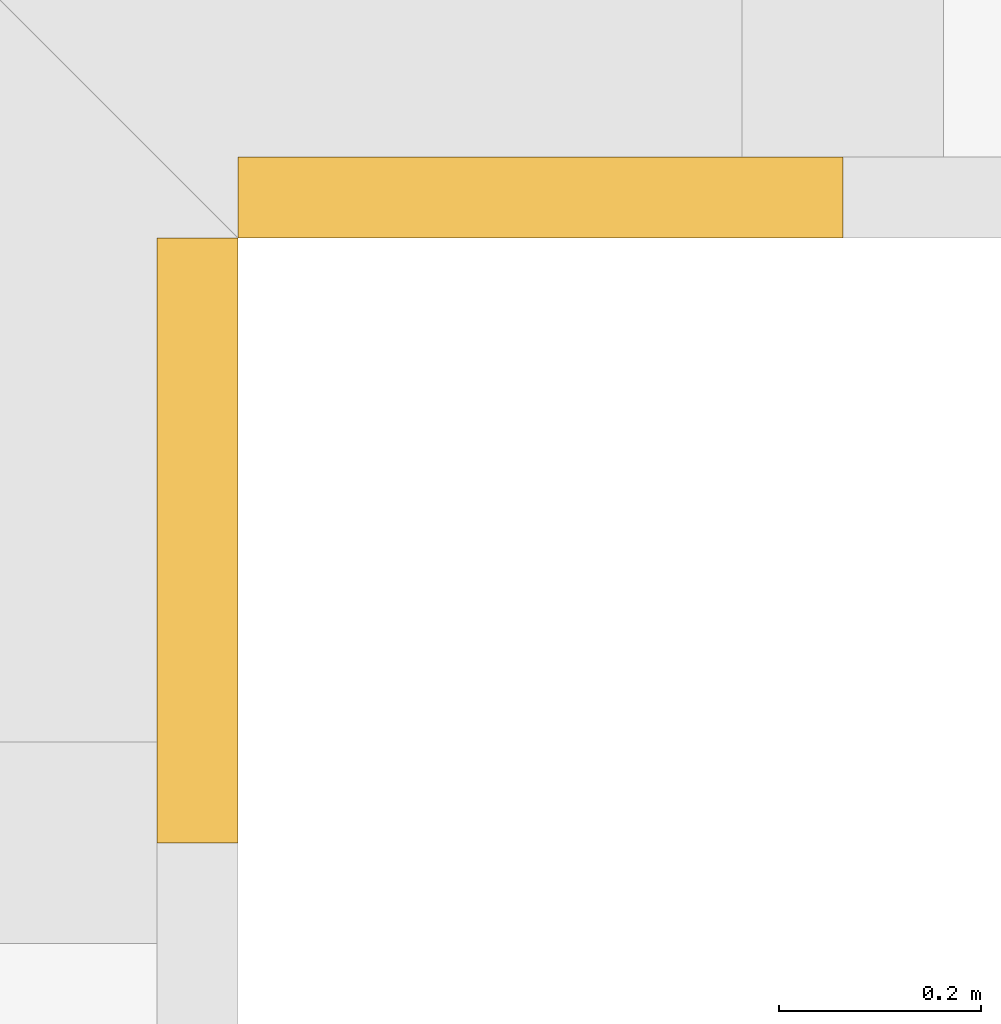
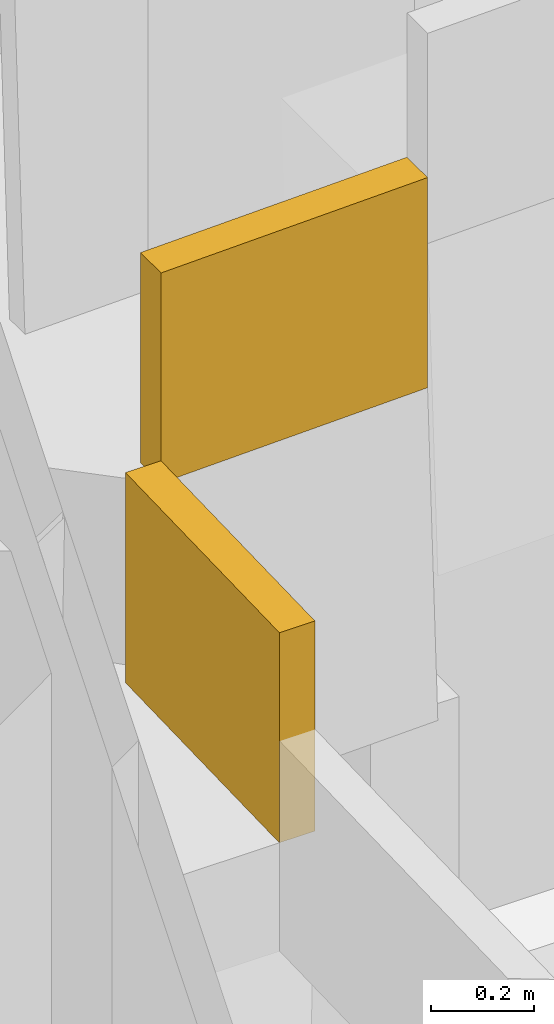
# One storey, part 30 of 30: 2 coverings.
"""IFC4 building model written with IfcOpenShell, lengths in metres."""

from ifc_helpers import new_model, si_unit, direction, frame, origin, place, context, subcontext, project, spatial, polyline, outline, extrude, material, layer, layer_set, type_object, element, save


model = new_model("IFC4")

# Units and contexts
model_context = context("Model", 3, precision=1e-05, world=origin(), true_north=direction((0.0, 1.0)))
body_context = subcontext(model_context, "Body", "Model", "MODEL_VIEW")
ifc_project = project(units=[si_unit("LENGTHUNIT", "METRE"), si_unit("AREAUNIT", "SQUARE_METRE"), si_unit("VOLUMEUNIT", "CUBIC_METRE"), si_unit("PLANEANGLEUNIT", "RADIAN"), si_unit("MASSUNIT", "GRAM", prefix="KILO")], contexts=[model_context])

# Site, building, storey
site_placement = place(None, origin())
site = spatial("IfcSite", under=ifc_project, at=site_placement, CompositionType="ELEMENT")
building_placement = place(site_placement, origin())
building = spatial("IfcBuilding", under=site, at=building_placement, Name="Saffron Gate Tower", CompositionType="ELEMENT")
storey_placement = place(building_placement, frame((0.0, 0.0, 179.85009765625)))
storey = spatial("IfcBuildingStorey", under=building, at=storey_placement, Name="L44", CompositionType="ELEMENT", Elevation=179.85009765625)

# Coverings
ifc_material = material(Name="Timber, thermally modified ash", Category="wood")
ifc_layer = layer(ifc_material, 0.080078125)
ifc_layer_set = layer_set([ifc_layer], Name="LD2 ledge planter trough")
covering_type = type_object("IfcCoveringType", Name="LD2 ledge planter trough", PredefinedType="CLADDING", material=ifc_layer_set)
covering_1_placement = place(storey_placement, frame((124.800048828125, 31.800048828125, 2.394775390625), z_axis=(1.0, 0.0, 0.0), x_axis=(0.0, 0.999582742162, 0.028884971385)))
element("IfcCovering", 1, at=covering_1_placement, inside=storey, type_object=covering_type, Name="LEDGE planter trough", PredefinedType="CLADDING", context=body_context, shape_type="SweptSolid", body=[
    extrude(outline(polyline([(0.0, 0.0), (0.6001039136866089, 0.0), (0.614546399379222, 0.4997913710809928), (0.014442485692613144, 0.49979137108099286), (0.0, 0.0)])), origin(), (0.0, 0.0, -1.0), 0.080078125),
])
covering_2_placement = place(storey_placement, frame((124.800048828125, 32.39990234375, 2.85888671875), z_axis=(0.0, -1.0, 0.0), x_axis=(0.999594406032, 0.0, 0.028478473106)))
element("IfcCovering", 2, at=covering_2_placement, inside=storey, type_object=covering_type, Name="LEDGE planter trough", PredefinedType="CLADDING", context=body_context, shape_type="SweptSolid", body=[
    extrude(outline(polyline([(0.0, 0.0), (0.6000969113127241, 0.0), (0.6143361478658799, 0.49979720301576647), (0.01423923655315574, 0.49979720301576647), (0.0, 0.0)])), origin(), (0.0, 0.0, -1.0), 0.080078125),
])

save(model, "model.ifc")
